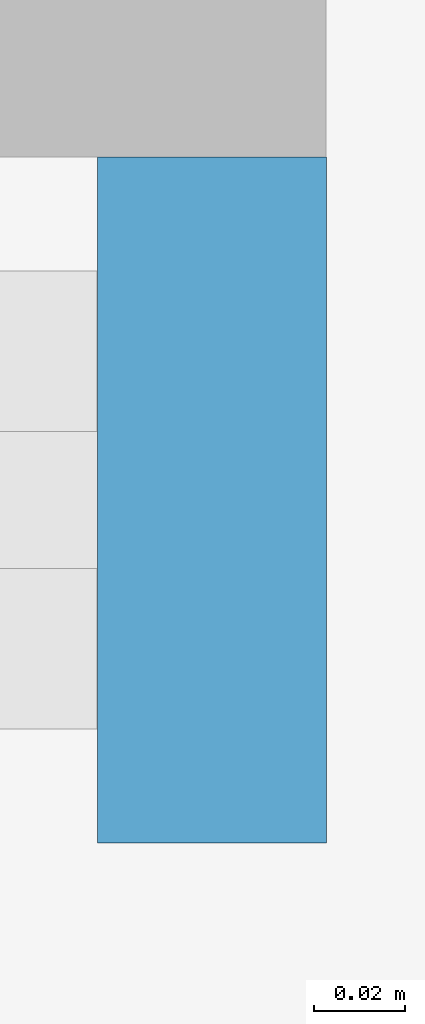
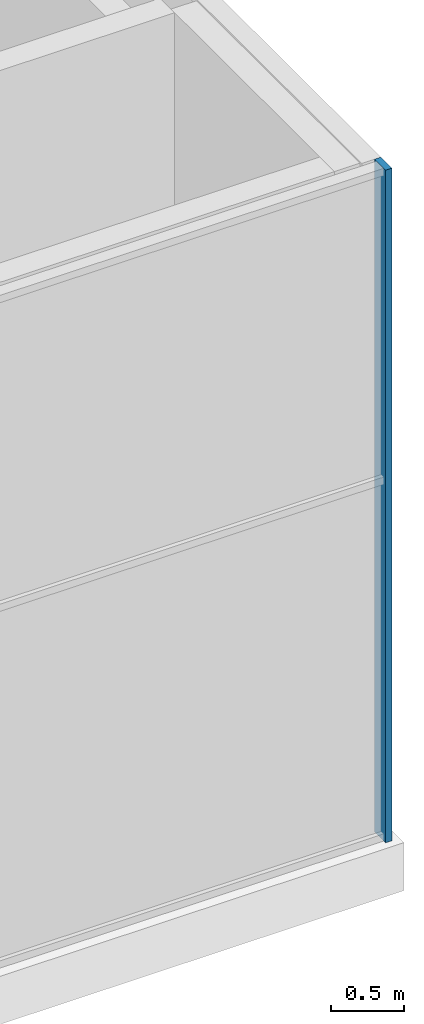
# One storey, part 12 of 27: 1 member, 1 element without a shape of its own.
"""IFC4 building model written with IfcOpenShell, lengths in metres."""

from ifc_helpers import new_model, si_unit, direction, frame, origin, origin_2d, place, context, subcontext, project, spatial, rectangle, extrude, material, material_profile, profile_set, type_object, element, aggregate, save


model = new_model("IFC4")

# Units and contexts
model_context = context("Model", 3, precision=1e-05, world=origin(), true_north=direction((0.0, 1.0)))
body_context = subcontext(model_context, "Body", "Model", "MODEL_VIEW")
ifc_project = project(units=[si_unit("LENGTHUNIT", "METRE"), si_unit("AREAUNIT", "SQUARE_METRE"), si_unit("VOLUMEUNIT", "CUBIC_METRE"), si_unit("PLANEANGLEUNIT", "RADIAN"), si_unit("MASSUNIT", "GRAM", prefix="KILO")], contexts=[model_context])

# Site, building, storey
site_placement = place(None, origin())
site = spatial("IfcSite", under=ifc_project, at=site_placement, CompositionType="ELEMENT")
building_placement = place(site_placement, origin())
building = spatial("IfcBuilding", under=site, at=building_placement, Name="Kitamizu Gate Tower and Museum", CompositionType="ELEMENT")
storey_placement = place(building_placement, frame((0.0, 0.0, 24.0)))
storey = spatial("IfcBuildingStorey", under=building, at=storey_placement, Name="L04", CompositionType="ELEMENT", Elevation=24.0)

# Curtain wall, member
ifc_material_1 = material(Name="Bronze anodised aluminium frame, tinted triple glazing", Category="aluminium")
curtain_wall_type = type_object("IfcCurtainWallType", Name="CURTAIN WALL TYPE F TRANSFER STOREY", PredefinedType="NOTDEFINED", material=ifc_material_1)
curtain_wall_placement = place(storey_placement, origin())
curtain_wall = element("IfcCurtainWall", 1, at=curtain_wall_placement, inside=storey, type_object=curtain_wall_type, Name="Curtain wall CW-F south L04", PredefinedType="NOTDEFINED")
ifc_material_2 = material(Name="Bronze anodised aluminium", Category="aluminium")
ifc_material_profile = material_profile(ifc_material_2, rectangle(XDim=0.050048828125, YDim=0.14990234375, at=origin_2d()), Name="AL 50X150")
ifc_profile_set = profile_set([ifc_material_profile], Name="Bronze anodised aluminium")
member_type = type_object("IfcMemberType", Name="MULLION 50 X 150 TYPE F", PredefinedType="MULLION", material=ifc_profile_set)
member_placement = place(storey_placement, frame((71.4150390625, 6.635009765625, 0.0), z_axis=(0.0, 0.0, 1.0), x_axis=(1.0, 0.0, 0.0)))
member = element("IfcMember", 2, at=member_placement, type_object=member_type, Name="CW-F mullion 2", PredefinedType="MULLION", context=body_context, shape_type="SweptSolid", body=[
    extrude(rectangle(XDim=0.050048828125, YDim=0.14990234375, at=origin_2d()), origin(), (0.0, 0.0, 1.0), 5.60009765625),
])
aggregate(curtain_wall, [member])

save(model, "model.ifc")
